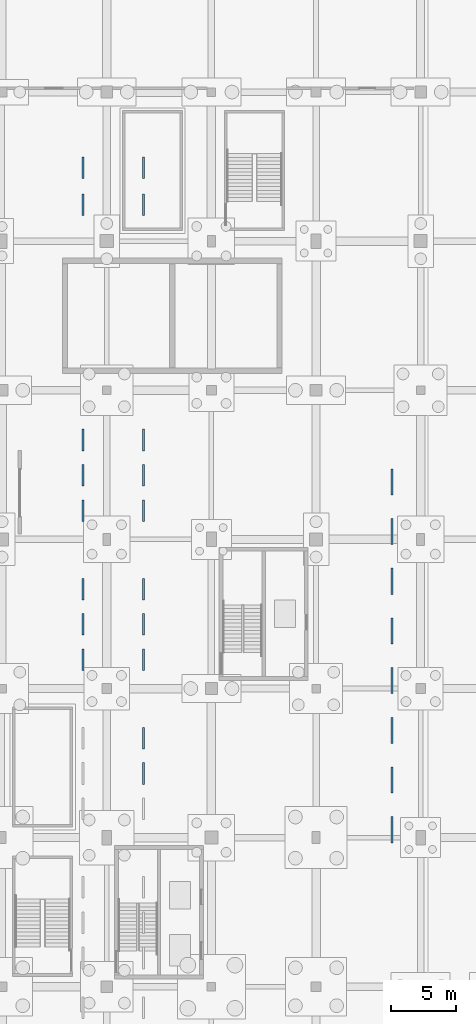
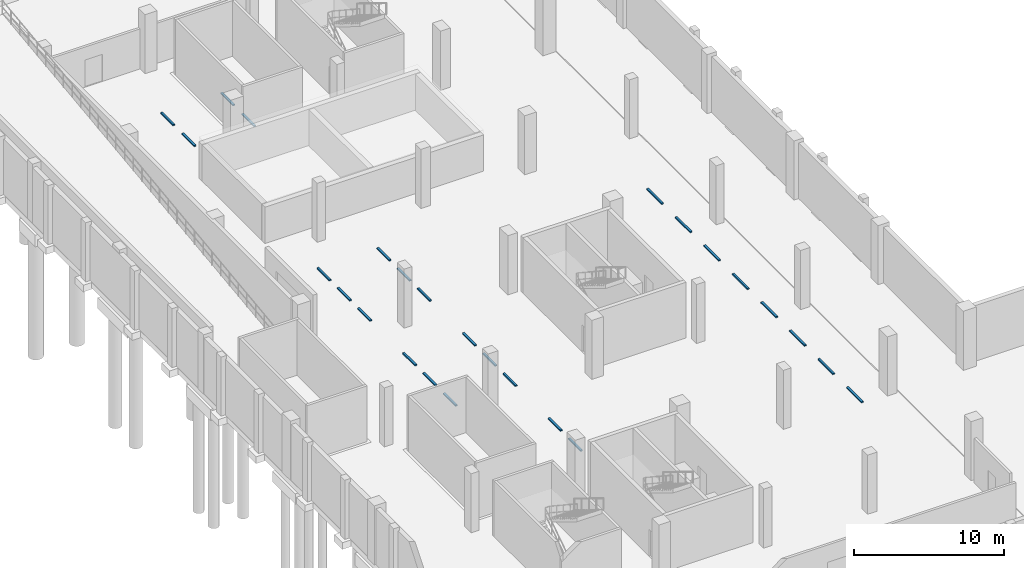
# One storey, part 31 of 34: 26 discrete accessories.
"""IFC4 building model written with IfcOpenShell, lengths in metres."""

import ifcopenshell
import ifcopenshell.guid

model = None  # the IFC model being written
_history = None  # IfcOwnerHistory: only IFC2X3 demands one
_inside = {}  # id of a spatial element -> (the spatial element, [elements in it])
_under = {}  # id of a project, library or spatial element -> (it, [spatial elements below it])
_declared = {}  # id of a project -> (the project, [libraries it declares])
_typed = {}  # id of a type object -> (the type object, [elements of that type])
_made_of = {}  # id of a material, layer set ... -> (it, [elements and type objects made of it])


def new_model(schema):
    """Start an empty IFC model of exactly this schema.

    Asked for "IFC4X3", IfcOpenShell would pick the latest addendum, in which some entities
    have other attributes; the version numbers below select the first issue.
    IFC2X3 requires an IfcOwnerHistory on every rooted entity: one is made here for all.
    """
    global model, _history
    if schema == "IFC4X3":
        model = ifcopenshell.file(schema_version=(4, 3, 0, 0))
    else:
        model = ifcopenshell.file(schema=schema)
    _inside.clear()
    _under.clear()
    _declared.clear()
    _typed.clear()
    _made_of.clear()
    _history = None
    if model.schema == "IFC2X3":
        org = make("IfcOrganization", Name="unknown")
        user = make(
            "IfcPersonAndOrganization",
            ThePerson=make("IfcPerson", FamilyName="unknown"),
            TheOrganization=org,
        )
        app = make(
            "IfcApplication",
            ApplicationDeveloper=org,
            Version="unknown",
            ApplicationFullName="unknown",
            ApplicationIdentifier="unknown",
        )
        _history = make(
            "IfcOwnerHistory",
            OwningUser=user,
            OwningApplication=app,
            ChangeAction="ADDED",
            CreationDate=0,
        )
    return model


def make(cls, **values):
    """One entity of the class cls with the attributes given. An attribute that is None is left unset."""
    return model.create_entity(
        cls, **{name: value for name, value in values.items() if value is not None}
    )


def rooted(cls, **values):
    """An entity with a GlobalId (a new one), such as an element, a storey or a relation."""
    return make(cls, GlobalId=ifcopenshell.guid.new(), OwnerHistory=_history, **values)


def si_unit(unit_type, name, prefix=None):
    """IfcSIUnit, for example si_unit("LENGTHUNIT", "METRE", prefix="MILLI")."""
    return make("IfcSIUnit", UnitType=unit_type, Prefix=prefix, Name=name)


def assignment(units):
    """IfcUnitAssignment: the units of a project."""
    return None if units is None else make("IfcUnitAssignment", Units=units)


def point(xyz):
    """IfcCartesianPoint."""
    return None if xyz is None else make("IfcCartesianPoint", Coordinates=xyz)


def direction(xyz):
    """IfcDirection."""
    return None if xyz is None else make("IfcDirection", DirectionRatios=xyz)


def frame(location, z_axis=None, x_axis=None):
    """IfcAxis2Placement3D, a coordinate frame: its origin and axes. An axis left out is left unset."""
    return make(
        "IfcAxis2Placement3D",
        Location=point(location),
        Axis=direction(z_axis),
        RefDirection=direction(x_axis),
    )


def frame_2d(location, x_axis=None):
    """IfcAxis2Placement2D, a coordinate frame in the plane: its origin and x axis."""
    return make(
        "IfcAxis2Placement2D", Location=point(location), RefDirection=direction(x_axis)
    )


def origin():
    """The frame at (0, 0, 0) with its axes left unset."""
    return frame((0.0, 0.0, 0.0))


def origin_2d():
    """The frame at (0, 0) in the plane with its x axis left unset."""
    return frame_2d((0.0, 0.0))


def place(relative_to, where):
    """IfcLocalPlacement: puts the frame where relative to a parent placement (None: the world)."""
    return make(
        "IfcLocalPlacement", PlacementRelTo=relative_to, RelativePlacement=where
    )


def context(
    kind, dimensions, precision=None, world=None, true_north=None, identifier=None
):
    """IfcGeometricRepresentationContext, for example the 3D "Model" context."""
    return make(
        "IfcGeometricRepresentationContext",
        ContextIdentifier=identifier,
        ContextType=kind,
        CoordinateSpaceDimension=dimensions,
        Precision=precision,
        WorldCoordinateSystem=world,
        TrueNorth=true_north,
    )


def subcontext(parent, identifier, kind, view, scale=None):
    """IfcGeometricRepresentationSubContext, for example "Body" below "Model"."""
    return make(
        "IfcGeometricRepresentationSubContext",
        ContextIdentifier=identifier,
        ContextType=kind,
        ParentContext=parent,
        TargetScale=scale,
        TargetView=view,
    )


def project(units=None, contexts=None):
    """IfcProject with its units and contexts."""
    return rooted(
        "IfcProject",
        Name="project",
        RepresentationContexts=contexts,
        UnitsInContext=assignment(units),
    )


def spatial(cls, under=None, at=None, **own):
    """A site, building, storey or space (cls), placed at a placement, below another one or the project."""
    s = rooted(cls, ObjectPlacement=at, **own)
    if under is not None:
        _under.setdefault(under.id(), (under, []))[1].append(s)
    return s


def profile(cls, at=None, kind="AREA", **sizes):
    """A parametric profile (cls). Its sizes go by their IFC names, for example OverallWidth=200.0."""
    return make(cls, ProfileType=kind, Position=at, **sizes)


def rectangle(**sizes):
    """IfcRectangleProfileDef."""
    return profile("IfcRectangleProfileDef", **sizes)


def extrude(swept, where, along, depth):
    """IfcExtrudedAreaSolid: the profile swept, set in the frame where, extruded along a direction by depth."""
    return make(
        "IfcExtrudedAreaSolid",
        SweptArea=swept,
        Position=where,
        ExtrudedDirection=direction(along),
        Depth=depth,
    )


def shape(context_of_items, identifier, shape_type, items):
    """IfcShapeRepresentation: the items that make up one representation, for example the "Body"."""
    return make(
        "IfcShapeRepresentation",
        ContextOfItems=context_of_items,
        RepresentationIdentifier=identifier,
        RepresentationType=shape_type,
        Items=items,
    )


def material(Name=None, Category=None):
    """IfcMaterial."""
    return make("IfcMaterial", Name=Name, Category=Category)


def made_of(thing, what):
    """Note that an element or type object is made of a material, layer set ...; save() writes the relation."""
    if what is not None:
        _made_of.setdefault(what.id(), (what, []))[1].append(thing)
    return thing


def type_object(cls, material=None, **own):
    """A type object (cls), such as IfcWallType, which elements share."""
    return made_of(rooted(cls, **own), material)


def element(
    cls,
    number,
    at=None,
    inside=None,
    cuts=None,
    type_object=None,
    material=None,
    context=None,
    identifier="Body",
    shape_type=None,
    held_by="IfcProductDefinitionShape",
    body=None,
    shapes=None,
    **own,
):
    """One element of the class cls, such as IfcWall. Its Tag is "e" and its number.

    at: its placement. inside: the storey or other place that contains it. cuts: it is an
    opening in that element (IfcRelVoidsElement). A single representation is given by context,
    identifier, shape_type and body (its items); several are given by shapes. held_by: the class
    of the entity that holds the representations. save() writes the other relations.
    """
    e = rooted(cls, Tag="e%d" % number, ObjectPlacement=at, **own)
    if body is not None:
        shapes = [shape(context, identifier, shape_type, body)]
    if shapes is not None:
        e.Representation = make(held_by, Representations=shapes)
    if inside is not None:
        _inside.setdefault(inside.id(), (inside, []))[1].append(e)
    if cuts is not None:
        rooted(
            "IfcRelVoidsElement", RelatingBuildingElement=cuts, RelatedOpeningElement=e
        )
    if type_object is not None:
        _typed.setdefault(type_object.id(), (type_object, []))[1].append(e)
    return made_of(e, material)


def aggregate(whole, parts):
    """IfcRelAggregates: a whole, such as a stair, and the parts it consists of."""
    return rooted("IfcRelAggregates", RelatingObject=whole, RelatedObjects=parts)


def save(model, path):
    """Write the relations noted so far, then the file.

    IfcRelAggregates (storeys below a building ...), IfcRelContainedInSpatialStructure (elements
    in a storey), IfcRelDefinesByType, IfcRelAssociatesMaterial and IfcRelDeclares: one each for
    every whole, place, type object, material and project.
    """
    for whole, parts in _under.values():
        aggregate(whole, parts)
    for where, things in _inside.values():
        rooted(
            "IfcRelContainedInSpatialStructure",
            RelatedElements=things,
            RelatingStructure=where,
        )
    for kind, things in _typed.values():
        rooted("IfcRelDefinesByType", RelatedObjects=things, RelatingType=kind)
    for what, things in _made_of.values():
        rooted("IfcRelAssociatesMaterial", RelatedObjects=things, RelatingMaterial=what)
    for by, libraries in _declared.values():
        rooted("IfcRelDeclares", RelatingContext=by, RelatedDefinitions=libraries)
    model.write(path)


model = new_model("IFC4")

# Units and contexts
model_context = context("Model", 3, precision=1e-05, world=origin(), true_north=direction((0.0, 1.0)))
body_context = subcontext(model_context, "Body", "Model", "MODEL_VIEW")
ifc_project = project(units=[si_unit("LENGTHUNIT", "METRE"), si_unit("AREAUNIT", "SQUARE_METRE"), si_unit("VOLUMEUNIT", "CUBIC_METRE"), si_unit("PLANEANGLEUNIT", "RADIAN"), si_unit("MASSUNIT", "GRAM", prefix="KILO"), si_unit("POWERUNIT", "WATT"), si_unit("THERMODYNAMICTEMPERATUREUNIT", "KELVIN")], contexts=[model_context])

# Site, building, storey
site_placement = place(None, origin())
site = spatial("IfcSite", under=ifc_project, at=site_placement, CompositionType="ELEMENT")
building_placement = place(site_placement, origin())
building = spatial("IfcBuilding", under=site, at=building_placement, Name="Kelmbourne Parkland Aquatics Centre", CompositionType="ELEMENT")
storey_placement = place(building_placement, frame((0.0, 0.0, -4.800048828125)))
storey = spatial("IfcBuildingStorey", under=building, at=storey_placement, Name="B1", CompositionType="ELEMENT", Elevation=-4.800048828125)

# Discrete accessories
ifc_material = material(Name="Waterproof concrete C50/60", Category="concrete")
discrete_accessory_type_1 = type_object("IfcDiscreteAccessoryType", Name="ACC-WS-ACC", PredefinedType="BRACKET", material=ifc_material)
for number, where, z_axis, x_axis, name in (
    (1, (37.800048828125, 24.199951171875, 0.0), (0.0, 0.0, 1.0), (1.0, 0.0, 0.0), "Accessible parking bay wheel stop APB-01"),
    (2, (37.800048828125, 28.0, 0.0), (0.0, 0.0, 1.0), (1.0, 0.0, 0.0), "Accessible parking bay wheel stop APB-02"),
    (3, (37.800048828125, 31.800048828125, 0.0), (0.0, 0.0, 1.0), (1.0, 0.0, 0.0), "Accessible parking bay wheel stop APB-03"),
    (4, (37.800048828125, 35.60009765625, 0.0), (0.0, 0.0, 1.0), (1.0, 0.0, 0.0), "Accessible parking bay wheel stop APB-04"),
    (5, (37.800048828125, 39.39990234375, 0.0), (0.0, 0.0, 1.0), (1.0, 0.0, 0.0), "Accessible parking bay wheel stop APB-05"),
    (6, (37.800048828125, 43.199951171875, 0.0), (0.0, 0.0, 1.0), (1.0, 0.0, 0.0), "Accessible parking bay wheel stop APB-06"),
    (7, (37.800048828125, 47.0, 0.0), (0.0, 0.0, 1.0), (1.0, 0.0, 0.0), "Accessible parking bay wheel stop APB-07"),
    (8, (37.800048828125, 50.800048828125, 0.0), (0.0, 0.0, 1.0), (1.0, 0.0, 0.0), "Accessible parking bay wheel stop APB-08"),
):
    element("IfcDiscreteAccessory", number, at=place(storey_placement, frame(where, z_axis=z_axis, x_axis=x_axis)), inside=storey, type_object=discrete_accessory_type_1, Name=name, PredefinedType="BRACKET", context=body_context, shape_type="SweptSolid", body=[
        extrude(rectangle(XDim=0.159912109375, YDim=2.0, at=origin_2d()), origin(), (0.0, 0.0, 1.0), 0.10009765625),
    ])
discrete_accessory_type_2 = type_object("IfcDiscreteAccessoryType", Name="ACC-WS-STD", PredefinedType="BRACKET", material=ifc_material)
for number, where, z_axis, x_axis, name in (
    (9, (18.800048828125, 28.5, 0.0), (0.0, 0.0, 1.0), (1.0, 0.0, 0.0), "Standard parking bay wheel stop SPB-23"),
    (10, (18.800048828125, 31.199951171875, 0.0), (0.0, 0.0, 1.0), (1.0, 0.0, 0.0), "Standard parking bay wheel stop SPB-24"),
    (11, (14.199951171875, 37.199951171875, 0.0), (0.0, 0.0, 1.0), (1.0, 0.0, 0.0), "Standard parking bay wheel stop SPB-09"),
    (12, (18.800048828125, 37.199951171875, 0.0), (0.0, 0.0, 1.0), (1.0, 0.0, 0.0), "Standard parking bay wheel stop SPB-25"),
    (13, (14.199951171875, 39.89990234375, 0.0), (0.0, 0.0, 1.0), (1.0, 0.0, 0.0), "Standard parking bay wheel stop SPB-10"),
    (14, (18.800048828125, 39.89990234375, 0.0), (0.0, 0.0, 1.0), (1.0, 0.0, 0.0), "Standard parking bay wheel stop SPB-26"),
    (15, (14.199951171875, 42.60009765625, 0.0), (0.0, 0.0, 1.0), (1.0, 0.0, 0.0), "Standard parking bay wheel stop SPB-11"),
    (16, (18.800048828125, 42.60009765625, 0.0), (0.0, 0.0, 1.0), (1.0, 0.0, 0.0), "Standard parking bay wheel stop SPB-27"),
    (17, (14.199951171875, 48.60009765625, 0.0), (0.0, 0.0, 1.0), (1.0, 0.0, 0.0), "Standard parking bay wheel stop SPB-12"),
    (18, (18.800048828125, 48.60009765625, 0.0), (0.0, 0.0, 1.0), (1.0, 0.0, 0.0), "Standard parking bay wheel stop SPB-28"),
    (19, (14.199951171875, 51.300048828125, 0.0), (0.0, 0.0, 1.0), (1.0, 0.0, 0.0), "Standard parking bay wheel stop SPB-13"),
    (20, (18.800048828125, 51.300048828125, 0.0), (0.0, 0.0, 1.0), (1.0, 0.0, 0.0), "Standard parking bay wheel stop SPB-29"),
    (21, (14.199951171875, 54.0, 0.0), (0.0, 0.0, 1.0), (1.0, 0.0, 0.0), "Standard parking bay wheel stop SPB-14"),
    (22, (18.800048828125, 54.0, 0.0), (0.0, 0.0, 1.0), (1.0, 0.0, 0.0), "Standard parking bay wheel stop SPB-30"),
    (23, (14.199951171875, 72.0, 0.0), (0.0, 0.0, 1.0), (1.0, 0.0, 0.0), "Standard parking bay wheel stop SPB-15"),
    (24, (18.800048828125, 72.0, 0.0), (0.0, 0.0, 1.0), (1.0, 0.0, 0.0), "Standard parking bay wheel stop SPB-31"),
    (25, (14.199951171875, 74.800048828125, 0.0), (0.0, 0.0, 1.0), (1.0, 0.0, 0.0), "Standard parking bay wheel stop SPB-16"),
    (26, (18.800048828125, 74.800048828125, 0.0), (0.0, 0.0, 1.0), (1.0, 0.0, 0.0), "Standard parking bay wheel stop SPB-32"),
):
    element("IfcDiscreteAccessory", number, at=place(storey_placement, frame(where, z_axis=z_axis, x_axis=x_axis)), inside=storey, type_object=discrete_accessory_type_2, Name=name, PredefinedType="BRACKET", context=body_context, shape_type="SweptSolid", body=[
        extrude(rectangle(XDim=0.159912109375, YDim=1.64990234375, at=origin_2d()), origin(), (0.0, 0.0, 1.0), 0.10009765625),
    ])

save(model, "model.ifc")
